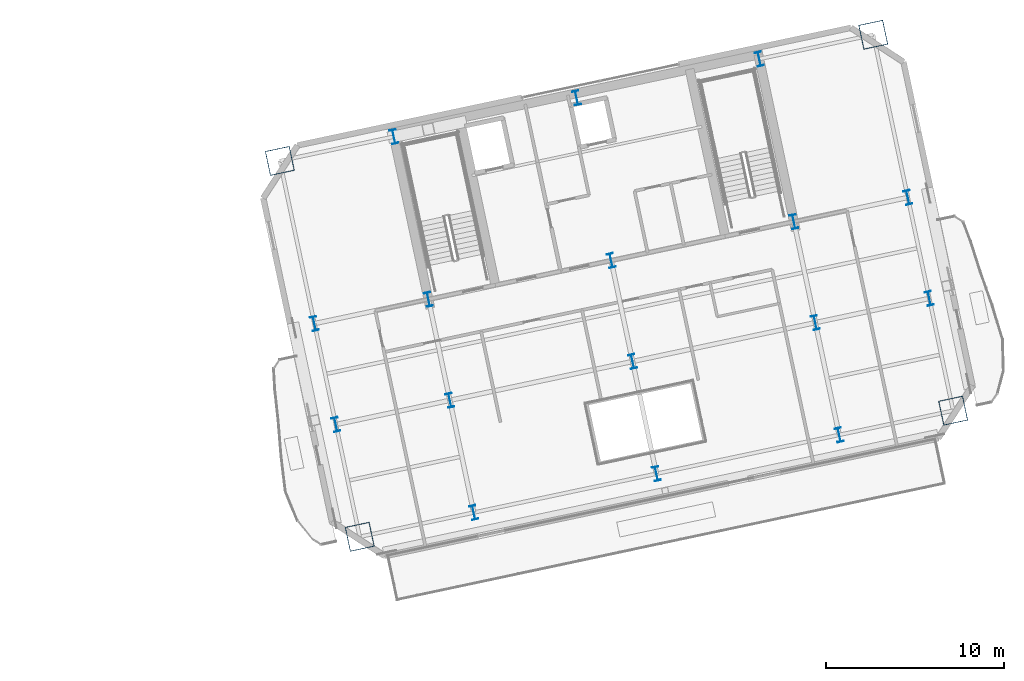
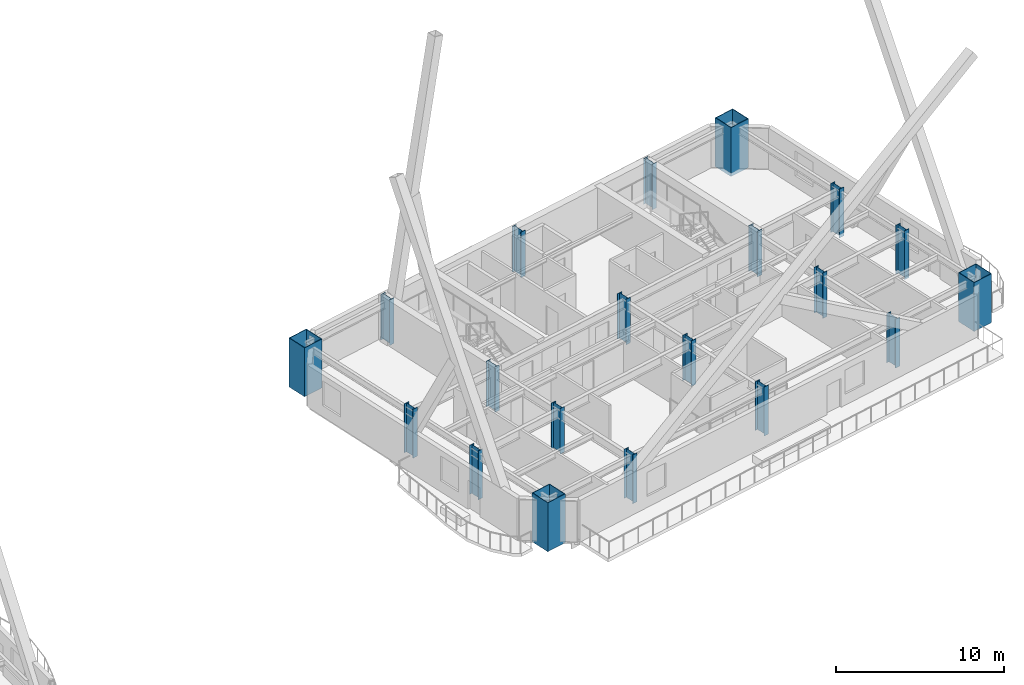
# One storey, part 2 of 22: 20 columns.
"""IFC4 building model written with IfcOpenShell, lengths in metres."""

from ifc_helpers import new_model, si_unit, direction, frame, origin, origin_2d, place, context, subcontext, project, spatial, hollow_rectangle, i_section, extrude, material, material_profile, profile_set, type_object, element, save


model = new_model("IFC4")

# Units and contexts
model_context = context("Model", 3, precision=1e-05, world=origin(), true_north=direction((0.0, 1.0)))
body_context = subcontext(model_context, "Body", "Model", "MODEL_VIEW")
ifc_project = project(units=[si_unit("LENGTHUNIT", "METRE"), si_unit("AREAUNIT", "SQUARE_METRE"), si_unit("VOLUMEUNIT", "CUBIC_METRE"), si_unit("PLANEANGLEUNIT", "RADIAN"), si_unit("MASSUNIT", "GRAM", prefix="KILO")], contexts=[model_context])

# Site, building, storey
site_placement = place(None, origin())
site = spatial("IfcSite", under=ifc_project, at=site_placement, CompositionType="ELEMENT")
building_placement = place(site_placement, origin())
building = spatial("IfcBuilding", under=site, at=building_placement, Name="Haevon Station Towers", CompositionType="ELEMENT")
storey_placement = place(building_placement, frame((0.0, 0.0, 113.10009765625)))
storey = spatial("IfcBuildingStorey", under=building, at=storey_placement, Name="L30", CompositionType="ELEMENT", Elevation=113.10009765625)

# Columns
ifc_material = material(Name="Steel S460", Category="steel")
ifc_material_profile_1 = material_profile(ifc_material, hollow_rectangle(XDim=1.39990234375, YDim=1.39990234375, WallThickness=0.035888671875, at=origin_2d()), Name="BOX-1400x1400x36")
ifc_profile_set_1 = profile_set([ifc_material_profile_1], Name="Steel S460")
column_type_1 = type_object("IfcColumnType", Name="COL-MC3", PredefinedType="COLUMN", material=ifc_profile_set_1)
for number, where, z_axis, x_axis, name in (
    (1, (94.892333984375, 24.098388671875, -0.25), (0.0, 0.0, 1.0), (0.978147600734, 0.207911690818, 0.0), "COL-T2-L30-01-01"),
    (2, (90.401611328125, 45.226318359375, -0.25), (0.0, 0.0, 1.0), (0.978147600734, 0.207911690818, 0.0), "COL-T2-L30-01-04"),
    (3, (128.247314453125, 31.18798828125, -0.25), (0.0, 0.0, 1.0), (0.978147600734, 0.207911690818, 0.0), "COL-T2-L30-05-01"),
    (4, (123.75634765625, 52.316162109375, -0.25), (0.0, 0.0, 1.0), (0.978147600734, 0.207911690818, 0.0), "COL-T2-L30-05-04"),
):
    element("IfcColumn", number, at=place(storey_placement, frame(where, z_axis=z_axis, x_axis=x_axis)), inside=storey, type_object=column_type_1, Name=name, PredefinedType="COLUMN", context=body_context, shape_type="SweptSolid", body=[
        extrude(hollow_rectangle(XDim=1.39990234375, YDim=1.39990234375, WallThickness=0.035888671875, at=origin_2d()), origin(), (0.0, 0.0, 1.0), 3.5498046875),
    ])
ifc_material_profile_2 = material_profile(ifc_material, i_section(OverallWidth=0.35009765625, OverallDepth=0.800048828125, WebThickness=0.01806640625, FlangeThickness=0.031982421875, at=origin_2d()), Name="H-800x350x18x32")
ifc_profile_set_2 = profile_set([ifc_material_profile_2], Name="Steel S460")
column_type_2 = type_object("IfcColumnType", Name="COL-TW2", PredefinedType="COLUMN", material=ifc_profile_set_2)
for number, where, z_axis, x_axis, name in (
    (5, (93.55126953125, 30.4072265625, -0.25), (0.0, 0.0, 1.0), (0.978147600734, 0.207911690818, 0.0), "COL-T2-L30-01-02"),
    (6, (92.345458984375, 36.08056640625, -0.25), (0.0, 0.0, 1.0), (0.978147600734, 0.207911690818, 0.0), "COL-T2-L30-01-03"),
    (7, (101.29931640625, 25.460205078125, -0.25), (0.0, 0.0, 1.0), (0.978147600734, 0.207911690818, 0.0), "COL-T2-L30-02-01"),
):
    element("IfcColumn", number, at=place(storey_placement, frame(where, z_axis=z_axis, x_axis=x_axis)), inside=storey, type_object=column_type_2, Name=name, PredefinedType="COLUMN", context=body_context, shape_type="SweptSolid", body=[
        extrude(i_section(OverallWidth=0.35009765625, OverallDepth=0.800048828125, WebThickness=0.01806640625, FlangeThickness=0.031982421875, at=origin_2d()), origin(), (0.0, 0.0, 1.0), 3.5498046875),
    ])
for number, where, z_axis, x_axis, name in (
    (8, (99.958251953125, 31.76904296875, 0.0), (0.0, 0.0, 1.0), (0.978147600734, 0.207911690818, 0.0), "COL-T2-L30-02-02"),
    (9, (98.75244140625, 37.4423828125, 0.0), (0.0, 0.0, 1.0), (0.978147600734, 0.207911690818, 0.0), "COL-T2-L30-02-03"),
    (10, (96.808349609375, 46.588134765625, 0.0), (0.0, 0.0, 1.0), (0.978147600734, 0.207911690818, 0.0), "COL-T2-L30-02-04"),
):
    element("IfcColumn", number, at=place(storey_placement, frame(where, z_axis=z_axis, x_axis=x_axis)), inside=storey, type_object=column_type_2, Name=name, PredefinedType="COLUMN", context=body_context, shape_type="SweptSolid", body=[
        extrude(i_section(OverallWidth=0.35009765625, OverallDepth=0.800048828125, WebThickness=0.01806640625, FlangeThickness=0.031982421875, at=origin_2d()), origin(), (0.0, 0.0, 1.0), 3.2998046875),
    ])
column_1_placement = place(storey_placement, frame((111.56982421875, 27.64306640625, -0.25), z_axis=(0.0, 0.0, 1.0), x_axis=(0.978147600734, 0.207911690818, 0.0)))
element("IfcColumn", 11, at=column_1_placement, inside=storey, type_object=column_type_2, Name="COL-T2-L30-03-01", PredefinedType="COLUMN", context=body_context, shape_type="SweptSolid", body=[
    extrude(i_section(OverallWidth=0.35009765625, OverallDepth=0.800048828125, WebThickness=0.01806640625, FlangeThickness=0.031982421875, at=origin_2d()), origin(), (0.0, 0.0, 1.0), 3.5498046875),
])
for number, where, z_axis, x_axis, name in (
    (12, (110.228759765625, 33.9521484375, 0.0), (0.0, 0.0, 1.0), (0.978147600734, 0.207911690818, 0.0), "COL-T2-L30-03-02"),
    (13, (109.02294921875, 39.62548828125, 0.0), (0.0, 0.0, 1.0), (0.978147600734, 0.207911690818, 0.0), "COL-T2-L30-03-03"),
    (14, (107.078857421875, 48.771240234375, 0.0), (0.0, 0.0, 1.0), (0.978147600734, 0.207911690818, 0.0), "COL-T2-L30-03-04"),
):
    element("IfcColumn", number, at=place(storey_placement, frame(where, z_axis=z_axis, x_axis=x_axis)), inside=storey, type_object=column_type_2, Name=name, PredefinedType="COLUMN", context=body_context, shape_type="SweptSolid", body=[
        extrude(i_section(OverallWidth=0.35009765625, OverallDepth=0.800048828125, WebThickness=0.01806640625, FlangeThickness=0.031982421875, at=origin_2d()), origin(), (0.0, 0.0, 1.0), 3.2998046875),
    ])
column_2_placement = place(storey_placement, frame((121.84033203125, 29.826171875, -0.25), z_axis=(0.0, 0.0, 1.0), x_axis=(0.978147600734, 0.207911690818, 0.0)))
element("IfcColumn", 15, at=column_2_placement, inside=storey, type_object=column_type_2, Name="COL-T2-L30-04-01", PredefinedType="COLUMN", context=body_context, shape_type="SweptSolid", body=[
    extrude(i_section(OverallWidth=0.35009765625, OverallDepth=0.800048828125, WebThickness=0.01806640625, FlangeThickness=0.031982421875, at=origin_2d()), origin(), (0.0, 0.0, 1.0), 3.5498046875),
])
for number, where, z_axis, x_axis, name in (
    (16, (120.499267578125, 36.13525390625, 0.0), (0.0, 0.0, 1.0), (0.978147600734, 0.207911690818, 0.0), "COL-T2-L30-04-02"),
    (17, (119.29345703125, 41.80859375, 0.0), (0.0, 0.0, 1.0), (0.978147600734, 0.207911690818, 0.0), "COL-T2-L30-04-03"),
    (18, (117.349365234375, 50.954345703125, 0.0), (0.0, 0.0, 1.0), (0.978147600734, 0.207911690818, 0.0), "COL-T2-L30-04-04"),
):
    element("IfcColumn", number, at=place(storey_placement, frame(where, z_axis=z_axis, x_axis=x_axis)), inside=storey, type_object=column_type_2, Name=name, PredefinedType="COLUMN", context=body_context, shape_type="SweptSolid", body=[
        extrude(i_section(OverallWidth=0.35009765625, OverallDepth=0.800048828125, WebThickness=0.01806640625, FlangeThickness=0.031982421875, at=origin_2d()), origin(), (0.0, 0.0, 1.0), 3.2998046875),
    ])
for number, where, z_axis, x_axis, name in (
    (19, (126.90625, 37.4970703125, -0.25), (0.0, 0.0, 1.0), (0.978147600734, 0.207911690818, 0.0), "COL-T2-L30-05-02"),
    (20, (125.7001953125, 43.17041015625, -0.25), (0.0, 0.0, 1.0), (0.978147600734, 0.207911690818, 0.0), "COL-T2-L30-05-03"),
):
    element("IfcColumn", number, at=place(storey_placement, frame(where, z_axis=z_axis, x_axis=x_axis)), inside=storey, type_object=column_type_2, Name=name, PredefinedType="COLUMN", context=body_context, shape_type="SweptSolid", body=[
        extrude(i_section(OverallWidth=0.35009765625, OverallDepth=0.800048828125, WebThickness=0.01806640625, FlangeThickness=0.031982421875, at=origin_2d()), origin(), (0.0, 0.0, 1.0), 3.5498046875),
    ])

save(model, "model.ifc")
